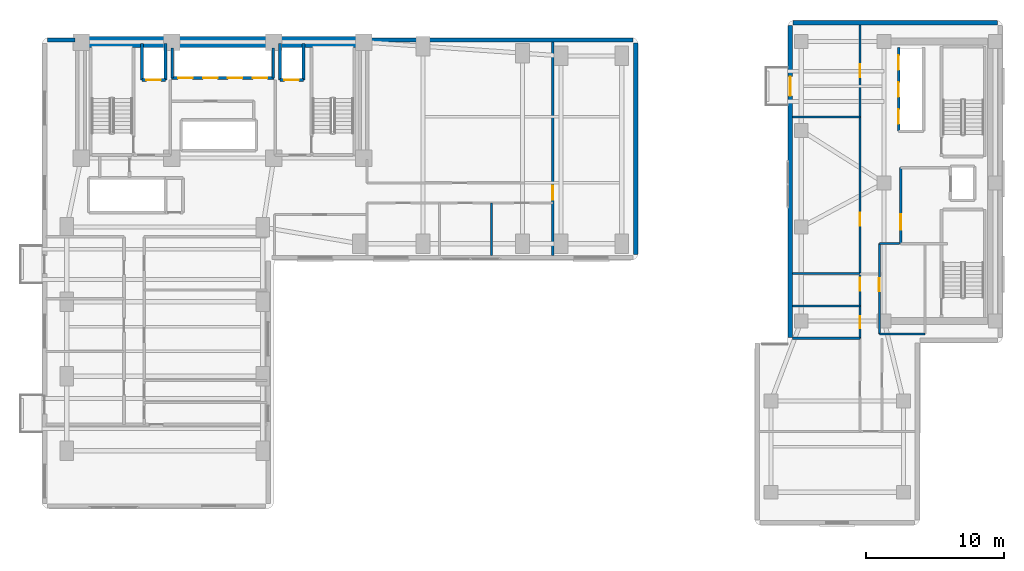
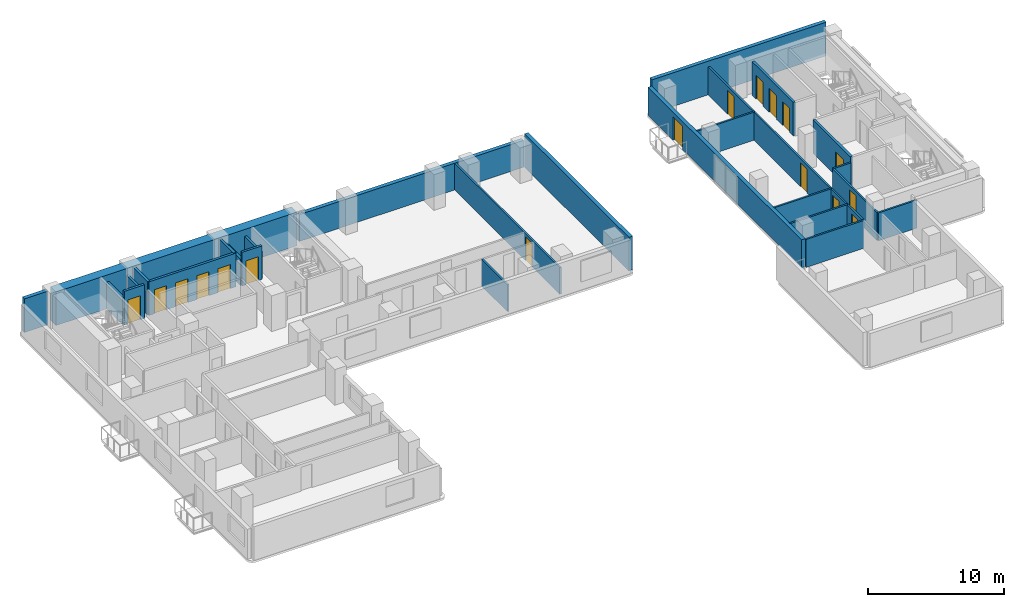
# One storey, part 12 of 17: 27 walls, 17 doors, 17 openings.
"""IFC4 building model written with IfcOpenShell, lengths in metres."""

from ifc_helpers import new_model, si_unit, direction, frame, frame_2d, origin, place, context, subcontext, project, spatial, rectangle, extrude, material, layer, layer_set, type_object, element, fill, save


model = new_model("IFC4")

# Units and contexts
model_context = context("Model", 3, precision=1e-05, world=origin(), true_north=direction((0.0, 1.0)))
body_context = subcontext(model_context, "Body", "Model", "MODEL_VIEW")
ifc_project = project(units=[si_unit("LENGTHUNIT", "METRE"), si_unit("AREAUNIT", "SQUARE_METRE"), si_unit("VOLUMEUNIT", "CUBIC_METRE"), si_unit("PLANEANGLEUNIT", "RADIAN"), si_unit("MASSUNIT", "GRAM", prefix="KILO")], contexts=[model_context])

# Site, building, storey
site_placement = place(None, origin())
site = spatial("IfcSite", under=ifc_project, at=site_placement, CompositionType="ELEMENT")
building_placement = place(site_placement, origin())
building = spatial("IfcBuilding", under=site, at=building_placement, Name="Kuzgunbayir Cultural Tower", CompositionType="ELEMENT")
storey_placement = place(building_placement, frame((0.0, 0.0, 50.0)))
storey = spatial("IfcBuildingStorey", under=building, at=storey_placement, Name="L13", CompositionType="ELEMENT", Elevation=50.0)

# Walls
ifc_material_1 = material(Name="Concrete C60/75", Category="concrete")
ifc_layer_1 = layer(ifc_material_1, 0.800048828125)
ifc_layer_set_1 = layer_set([ifc_layer_1], Name="Concrete C60/75")
wall_type_1 = type_object("IfcWallType", Name="WAL-CORE-800", PredefinedType="SHEAR", material=ifc_layer_set_1)
wall_1_placement = place(storey_placement, frame((6.449951171875, 42.199951171875, 0.0), z_axis=(0.0, 0.0, 1.0), x_axis=(1.0, 0.0, 0.0)))
element("IfcWall", 1, at=wall_1_placement, inside=storey, type_object=wall_type_1, Name="L13 T1 Core North Shear Wall", PredefinedType="SHEAR", context=body_context, shape_type="SweptSolid", body=[
    extrude(rectangle(XDim=20.449951171875, YDim=0.800048828125, at=frame_2d((10.22509765625, 0.0))), origin(), (0.0, 0.0, 1.0), 3.02001953125),
])
ifc_material_2 = material(Name="Travertine Buff Ashlar", Category="masonry")
ifc_layer_2 = layer(ifc_material_2, 0.320068359375)
ifc_layer_set_2 = layer_set([ifc_layer_2], Name="Travertine Buff Ashlar")
wall_type_2 = type_object("IfcWallType", Name="WAL-EXT-STONE-320", PredefinedType="STANDARD", material=ifc_layer_set_2)
wall_2_placement = place(storey_placement, frame((46.39990234375, 42.35009765625, 0.0), z_axis=(0.0, 0.0, 1.0), x_axis=(-1.0, 0.0, 0.0)))
element("IfcWall", 2, at=wall_2_placement, inside=storey, type_object=wall_type_2, Name="L13 North Wing B Limestone Wall", PredefinedType="STANDARD", context=body_context, shape_type="SweptSolid", body=[
    extrude(rectangle(XDim=19.0498046875, YDim=0.320068359375, at=frame_2d((9.52490234375, 0.0))), origin(), (0.0, 0.0, 1.0), 2.409912109375),
])
wall_3_placement = place(storey_placement, frame((6.0, 42.35009765625, 0.0), z_axis=(0.0, 0.0, 1.0), x_axis=(-1.0, 0.0, 0.0)))
element("IfcWall", 3, at=wall_3_placement, inside=storey, type_object=wall_type_2, Name="L13 Core North-West Spandrel Link", PredefinedType="STANDARD", context=body_context, shape_type="SweptSolid", body=[
    extrude(rectangle(XDim=2.0, YDim=0.320068359375, at=frame_2d((1.0, 0.0))), origin(), (0.0, 0.0, 1.0), 3.02001953125),
])
wall_4_placement = place(storey_placement, frame((46.60009765625, 26.800048828125, 0.0), z_axis=(0.0, 0.0, 1.0), x_axis=(0.0, 1.0, 0.0)))
element("IfcWall", 4, at=wall_4_placement, inside=storey, type_object=wall_type_2, Name="L13 Wing B East Limestone Wall", PredefinedType="STANDARD", context=body_context, shape_type="SweptSolid", body=[
    extrude(rectangle(XDim=15.349853515625, YDim=0.320068359375, at=frame_2d((7.6748046875, 0.0))), origin(), (0.0, 0.0, 1.0), 3.02001953125),
])

# Wall, opening, door
wall_5_placement = place(storey_placement, frame((57.800048828125, 43.39990234375, 0.0), z_axis=(0.0, 0.0, 1.0), x_axis=(0.0, -1.0, 0.0)))
wall_5 = element("IfcWall", 5, at=wall_5_placement, inside=storey, type_object=wall_type_2, Name="L13 Companion West Limestone Wall", PredefinedType="STANDARD", context=body_context, shape_type="SweptSolid", body=[
    extrude(rectangle(XDim=22.599853515625, YDim=0.320068359375, at=frame_2d((11.2998046875, 0.0))), origin(), (0.0, 0.0, 1.0), 2.510009765625),
])
opening_1_placement = place(wall_5_placement, frame((3.699951171875, 0.0, 0.0)))
opening_1 = element("IfcOpeningElement", 6, at=opening_1_placement, cuts=wall_5, Name="Opening BD-15", PredefinedType="OPENING", context=body_context, shape_type="SweptSolid", body=[
    extrude(rectangle(XDim=1.39990234375, YDim=2.10009765625, at=frame_2d((0.699951171875, 1.050048828125))), frame((0.0, 0.169921875, 0.0), z_axis=(0.0, -1.0, 0.0), x_axis=(1.0, 0.0, 0.0)), (0.0, 0.0, 1.0), 0.340087890625),
])
ifc_material_3 = material(Name="Thermally Broken Glazed Aluminium", Category="aluminium")
door_type_1 = type_object("IfcDoorType", Name="DR-BALCONY-150", OperationType="SLIDING_TO_RIGHT", PredefinedType="DOOR", material=ifc_material_3)
door_1_placement = place(opening_1_placement, origin())
door_1 = element("IfcDoor", 7, at=door_1_placement, inside=storey, type_object=door_type_1, Name="L13 Companion Balcony Door BAL-L13-T2W3", OperationType="SLIDING_TO_RIGHT", OverallHeight=2.10009765625, OverallWidth=1.39990234375, PredefinedType="DOOR", context=body_context, shape_type="SweptSolid", body=[
    extrude(rectangle(XDim=1.39990234375, YDim=2.10009765625, at=frame_2d((0.699951171875, 1.050048828125))), frame((0.0, 0.02490234375, 0.0), z_axis=(0.0, -1.0, 0.0), x_axis=(1.0, 0.0, 0.0)), (0.0, 0.0, 1.0), 0.050048828125),
])
fill(opening_1, door_1)

# Wall
wall_6_placement = place(storey_placement, frame((72.800048828125, 43.60009765625, 0.0), z_axis=(0.0, 0.0, 1.0), x_axis=(-1.0, 0.0, 0.0)))
element("IfcWall", 8, at=wall_6_placement, inside=storey, type_object=wall_type_2, Name="L13 Companion North Limestone Wall", PredefinedType="STANDARD", context=body_context, shape_type="SweptSolid", body=[
    extrude(rectangle(XDim=14.800048828125, YDim=0.320068359375, at=frame_2d((7.39990234375, 0.0))), origin(), (0.0, 0.0, 1.0), 3.02001953125),
])

# Wall, opening, door
ifc_material_4 = material(Name="Acoustic Double-Stud Drywall", Category="gypsum")
ifc_layer_3 = layer(ifc_material_4, 0.14990234375)
ifc_layer_set_3 = layer_set([ifc_layer_3], Name="Acoustic Double-Stud Drywall")
wall_type_3 = type_object("IfcWallType", Name="WAL-PART-ACOUSTIC-150", PredefinedType="PARTITIONING", material=ifc_layer_set_3)
wall_7_placement = place(storey_placement, frame((40.60009765625, 26.75, 0.0), z_axis=(0.0, 0.0, 1.0), x_axis=(0.0, 1.0, 0.0)))
wall_7 = element("IfcWall", 9, at=wall_7_placement, inside=storey, type_object=wall_type_3, Name="L13 Wing B East Suite Wall", PredefinedType="PARTITIONING", context=body_context, shape_type="SweptSolid", body=[
    extrude(rectangle(XDim=15.449951171875, YDim=0.14990234375, at=frame_2d((7.72509765625, 0.0))), origin(), (0.0, 0.0, 1.0), 2.409912109375),
])
opening_2_placement = place(wall_7_placement, frame((4.030029296875, 0.0, 0.0)))
opening_2 = element("IfcOpeningElement", 10, at=opening_2_placement, cuts=wall_7, Name="Opening DI-100", PredefinedType="OPENING", context=body_context, shape_type="SweptSolid", body=[
    extrude(rectangle(XDim=1.0, YDim=2.14990234375, at=frame_2d((0.5, 1.074951171875))), frame((0.0, 0.0849609375, 0.0), z_axis=(0.0, -1.0, 0.0), x_axis=(1.0, 0.0, 0.0)), (0.0, 0.0, 1.0), 0.169921875),
])
ifc_material_5 = material(Name="Veneered Oak Single Leaf", Category="wood")
door_type_2 = type_object("IfcDoorType", Name="DR-INT-100", OperationType="NOTDEFINED", PredefinedType="DOOR", material=ifc_material_5)
door_2_placement = place(opening_2_placement, origin())
door_2 = element("IfcDoor", 11, at=door_2_placement, inside=storey, type_object=door_type_2, Name="L13 East Conference Hall Door", OperationType="SINGLE_SWING_LEFT", OverallHeight=2.14990234375, OverallWidth=1.0, PredefinedType="DOOR", context=body_context, shape_type="SweptSolid", body=[
    extrude(rectangle(XDim=1.0, YDim=2.14990234375, at=frame_2d((0.5, 1.074951171875))), frame((0.0, 0.02490234375, 0.0), z_axis=(0.0, -1.0, 0.0), x_axis=(1.0, 0.0, 0.0)), (0.0, 0.0, 1.0), 0.050048828125),
])
fill(opening_2, door_2)

# Wall
wall_8_placement = place(storey_placement, frame((36.159912109375, 26.75, 0.0), z_axis=(0.0, 0.0, 1.0), x_axis=(0.0, 1.0, 0.0)))
element("IfcWall", 12, at=wall_8_placement, inside=storey, type_object=wall_type_3, Name="L13 Wing B South Partition 2", PredefinedType="PARTITIONING", context=body_context, shape_type="SweptSolid", body=[
    extrude(rectangle(XDim=3.800048828125, YDim=0.14990234375, at=frame_2d((1.89990234375, 0.0))), origin(), (0.0, 0.0, 1.0), 2.409912109375),
])

# Wall, opening, door
wall_9_placement = place(storey_placement, frame((64.25, 21.050048828125, 0.0), z_axis=(0.0, 0.0, 1.0), x_axis=(0.0, 1.0, 0.0)))
wall_9 = element("IfcWall", 13, at=wall_9_placement, inside=storey, type_object=wall_type_3, Name="L13 Companion Archive West Wall", PredefinedType="PARTITIONING", context=body_context, shape_type="SweptSolid", body=[
    extrude(rectangle(XDim=6.550048828125, YDim=0.14990234375, at=frame_2d((3.27490234375, 0.0))), origin(), (0.0, 0.0, 1.0), 2.510009765625),
])
opening_3_placement = place(wall_9_placement, frame((3.10009765625, 0.0, 0.0)))
opening_3 = element("IfcOpeningElement", 14, at=opening_3_placement, cuts=wall_9, Name="Opening DI-90", PredefinedType="OPENING", context=body_context, shape_type="SweptSolid", body=[
    extrude(rectangle(XDim=0.949951171875, YDim=2.14990234375, at=frame_2d((0.47509765625, 1.074951171875))), frame((0.0, 0.0849609375, 0.0), z_axis=(0.0, -1.0, 0.0), x_axis=(1.0, 0.0, 0.0)), (0.0, 0.0, 1.0), 0.169921875),
])
door_type_3 = type_object("IfcDoorType", Name="DR-INT-90", OperationType="NOTDEFINED", PredefinedType="DOOR", material=ifc_material_5)
door_3_placement = place(opening_3_placement, origin())
door_3 = element("IfcDoor", 15, at=door_3_placement, inside=storey, type_object=door_type_3, Name="L13 Companion Archive Door", OperationType="SINGLE_SWING_RIGHT", OverallHeight=2.14990234375, OverallWidth=0.949951171875, PredefinedType="DOOR", context=body_context, shape_type="SweptSolid", body=[
    extrude(rectangle(XDim=0.949951171875, YDim=2.14990234375, at=frame_2d((0.47509765625, 1.074951171875))), frame((0.0, 0.02490234375, 0.0), z_axis=(0.0, -1.0, 0.0), x_axis=(1.0, 0.0, 0.0)), (0.0, 0.0, 1.0), 0.050048828125),
])
fill(opening_3, door_3)

# Walls
wall_10_placement = place(storey_placement, frame((64.25, 21.050048828125, 0.0), z_axis=(0.0, 0.0, 1.0), x_axis=(1.0, 0.0, 0.0)))
element("IfcWall", 16, at=wall_10_placement, inside=storey, type_object=wall_type_3, Name="L13 Companion Archive South Wall", PredefinedType="PARTITIONING", context=body_context, shape_type="SweptSolid", body=[
    extrude(rectangle(XDim=3.300048828125, YDim=0.14990234375, at=frame_2d((1.64990234375, 0.0))), origin(), (0.0, 0.0, 1.0), 2.510009765625),
])
wall_11_placement = place(storey_placement, frame((64.25, 27.60009765625, 0.0), z_axis=(0.0, 0.0, 1.0), x_axis=(1.0, 0.0, 0.0)))
element("IfcWall", 17, at=wall_11_placement, inside=storey, type_object=wall_type_3, Name="L13 Companion Archive North Wall", PredefinedType="PARTITIONING", context=body_context, shape_type="SweptSolid", body=[
    extrude(rectangle(XDim=1.469970703125, YDim=0.14990234375, at=frame_2d((0.73486328125, 0.0))), origin(), (0.0, 0.0, 1.0), 2.510009765625),
])

# Wall, openings, doors
wall_12_placement = place(storey_placement, frame((62.85009765625, 20.75, 0.0), z_axis=(0.0, 0.0, 1.0), x_axis=(0.0, 1.0, 0.0)))
wall_12 = element("IfcWall", 18, at=wall_12_placement, inside=storey, type_object=wall_type_3, Name="L13 Companion Corridor West Wall", PredefinedType="PARTITIONING", context=body_context, shape_type="SweptSolid", body=[
    extrude(rectangle(XDim=22.699951171875, YDim=0.14990234375, at=frame_2d((11.35009765625, 0.0))), origin(), (0.0, 0.0, 1.0), 2.510009765625),
])
opening_4_placement = place(wall_12_placement, frame((0.72998046875, 0.0, 0.0)))
opening_4 = element("IfcOpeningElement", 19, at=opening_4_placement, cuts=wall_12, Name="Opening DW-85", PredefinedType="OPENING", context=body_context, shape_type="SweptSolid", body=[
    extrude(rectangle(XDim=0.85009765625, YDim=2.10009765625, at=frame_2d((0.425048828125, 1.050048828125))), frame((0.0, 0.0849609375, 0.0), z_axis=(0.0, -1.0, 0.0), x_axis=(1.0, 0.0, 0.0)), (0.0, 0.0, 1.0), 0.169921875),
])
opening_5_placement = place(wall_12_placement, frame((3.429931640625, 0.0, 0.0)))
opening_5 = element("IfcOpeningElement", 20, at=opening_5_placement, cuts=wall_12, Name="Opening DW-95", PredefinedType="OPENING", context=body_context, shape_type="SweptSolid", body=[
    extrude(rectangle(XDim=0.949951171875, YDim=2.10009765625, at=frame_2d((0.47509765625, 1.050048828125))), frame((0.0, 0.0849609375, 0.0), z_axis=(0.0, -1.0, 0.0), x_axis=(1.0, 0.0, 0.0)), (0.0, 0.0, 1.0), 0.169921875),
])
opening_6_placement = place(wall_12_placement, frame((8.14990234375, 0.0, 0.0)))
opening_6 = element("IfcOpeningElement", 21, at=opening_6_placement, cuts=wall_12, Name="Opening DI-90", PredefinedType="OPENING", context=body_context, shape_type="SweptSolid", body=[
    extrude(rectangle(XDim=0.949951171875, YDim=2.14990234375, at=frame_2d((0.47509765625, 1.074951171875))), frame((0.0, 0.0849609375, 0.0), z_axis=(0.0, -1.0, 0.0), x_axis=(1.0, 0.0, 0.0)), (0.0, 0.0, 1.0), 0.169921875),
])
opening_7_placement = place(wall_12_placement, frame((18.889892578125, 0.0, 0.0)))
opening_7 = element("IfcOpeningElement", 22, at=opening_7_placement, cuts=wall_12, Name="Opening DI-90", PredefinedType="OPENING", context=body_context, shape_type="SweptSolid", body=[
    extrude(rectangle(XDim=0.949951171875, YDim=2.14990234375, at=frame_2d((0.47509765625, 1.074951171875))), frame((0.0, 0.0849609375, 0.0), z_axis=(0.0, -1.0, 0.0), x_axis=(1.0, 0.0, 0.0)), (0.0, 0.0, 1.0), 0.169921875),
])
door_4_placement = place(opening_6_placement, origin())
door_4 = element("IfcDoor", 23, at=door_4_placement, inside=storey, type_object=door_type_3, Name="L13 Companion Seminar Boardroom 1 Door", OperationType="SINGLE_SWING_LEFT", OverallHeight=2.14990234375, OverallWidth=0.949951171875, PredefinedType="DOOR", context=body_context, shape_type="SweptSolid", body=[
    extrude(rectangle(XDim=0.949951171875, YDim=2.14990234375, at=frame_2d((0.47509765625, 1.074951171875))), frame((0.0, 0.02490234375, 0.0), z_axis=(0.0, -1.0, 0.0), x_axis=(1.0, 0.0, 0.0)), (0.0, 0.0, 1.0), 0.050048828125),
])
fill(opening_6, door_4)
door_5_placement = place(opening_7_placement, origin())
door_5 = element("IfcDoor", 24, at=door_5_placement, inside=storey, type_object=door_type_3, Name="L13 Companion Culinary Tasting Pantry 2 Door", OperationType="SINGLE_SWING_RIGHT", OverallHeight=2.14990234375, OverallWidth=0.949951171875, PredefinedType="DOOR", context=body_context, shape_type="SweptSolid", body=[
    extrude(rectangle(XDim=0.949951171875, YDim=2.14990234375, at=frame_2d((0.47509765625, 1.074951171875))), frame((0.0, 0.02490234375, 0.0), z_axis=(0.0, -1.0, 0.0), x_axis=(1.0, 0.0, 0.0)), (0.0, 0.0, 1.0), 0.050048828125),
])
fill(opening_7, door_5)
ifc_material_6 = material(Name="Laminate Moisture-Resistant Leaf", Category="wood")
door_type_4 = type_object("IfcDoorType", Name="DR-WET-85", OperationType="NOTDEFINED", PredefinedType="DOOR", material=ifc_material_6)
door_6_placement = place(opening_4_placement, origin())
door_6 = element("IfcDoor", 25, at=door_6_placement, inside=storey, type_object=door_type_4, Name="L13 Companion WC Door", OperationType="SINGLE_SWING_LEFT", OverallHeight=2.10009765625, OverallWidth=0.85009765625, PredefinedType="DOOR", context=body_context, shape_type="SweptSolid", body=[
    extrude(rectangle(XDim=0.85009765625, YDim=2.10009765625, at=frame_2d((0.425048828125, 1.050048828125))), frame((0.0, 0.02490234375, 0.0), z_axis=(0.0, -1.0, 0.0), x_axis=(1.0, 0.0, 0.0)), (0.0, 0.0, 1.0), 0.050048828125),
])
fill(opening_4, door_6)
door_type_5 = type_object("IfcDoorType", Name="DR-WET-95", OperationType="NOTDEFINED", PredefinedType="DOOR", material=ifc_material_6)
door_7_placement = place(opening_5_placement, origin())
door_7 = element("IfcDoor", 26, at=door_7_placement, inside=storey, type_object=door_type_5, Name="L13 Companion Accessible WC Door", OperationType="SINGLE_SWING_RIGHT", OverallHeight=2.10009765625, OverallWidth=0.949951171875, PredefinedType="DOOR", context=body_context, shape_type="SweptSolid", body=[
    extrude(rectangle(XDim=0.949951171875, YDim=2.10009765625, at=frame_2d((0.47509765625, 1.050048828125))), frame((0.0, 0.02490234375, 0.0), z_axis=(0.0, -1.0, 0.0), x_axis=(1.0, 0.0, 0.0)), (0.0, 0.0, 1.0), 0.050048828125),
])
fill(opening_5, door_7)

# Wall
wall_13_placement = place(storey_placement, frame((57.949951171875, 36.7900390625, 0.0), z_axis=(0.0, 0.0, 1.0), x_axis=(1.0, 0.0, 0.0)))
element("IfcWall", 27, at=wall_13_placement, inside=storey, type_object=wall_type_3, Name="L13 Companion Studio Partition 1", PredefinedType="PARTITIONING", context=body_context, shape_type="SweptSolid", body=[
    extrude(rectangle(XDim=4.900146484375, YDim=0.14990234375, at=frame_2d((2.4501953125, 0.0))), origin(), (0.0, 0.0, 1.0), 2.510009765625),
])

# Wall, opening, door
ifc_material_7 = material(Name="Aerated Concrete Blockwork", Category="masonry")
ifc_layer_4 = layer(ifc_material_7, 0.199951171875)
ifc_layer_set_4 = layer_set([ifc_layer_4], Name="Aerated Concrete Blockwork")
wall_type_4 = type_object("IfcWallType", Name="WAL-PART-FIRE-200", PredefinedType="PARTITIONING", material=ifc_layer_set_4)
wall_14_placement = place(storey_placement, frame((65.800048828125, 27.60009765625, 0.0), z_axis=(0.0, 0.0, 1.0), x_axis=(0.0, 1.0, 0.0)))
wall_14 = element("IfcWall", 28, at=wall_14_placement, inside=storey, type_object=wall_type_4, Name="L13 FFL-3 Lobby West Fire Wall", PredefinedType="PARTITIONING", context=body_context, shape_type="SweptSolid", body=[
    extrude(rectangle(XDim=5.5, YDim=0.199951171875, at=frame_2d((2.75, 0.0))), origin(), (0.0, 0.0, 1.0), 3.02001953125),
])
opening_8_placement = place(wall_14_placement, frame((1.0, 0.0, 0.0)))
opening_8 = element("IfcOpeningElement", 29, at=opening_8_placement, cuts=wall_14, Name="Opening DR-FFL-90", PredefinedType="OPENING", context=body_context, shape_type="SweptSolid", body=[
    extrude(rectangle(XDim=1.14990234375, YDim=2.14990234375, at=frame_2d((0.574951171875, 1.074951171875))), frame((0.0, 0.10986328125, 0.0), z_axis=(0.0, -1.0, 0.0), x_axis=(1.0, 0.0, 0.0)), (0.0, 0.0, 1.0), 0.219970703125),
])
ifc_material_8 = material(Name="Steel S355J2", Category="steel")
door_type_6 = type_object("IfcDoorType", Name="DR-FFL-90", OperationType="NOTDEFINED", PredefinedType="DOOR", material=ifc_material_8)
door_8_placement = place(opening_8_placement, origin())
door_8 = element("IfcDoor", 30, at=door_8_placement, inside=storey, type_object=door_type_6, Name="L13 Firefighting Lobby 3 Door", OperationType="SINGLE_SWING_RIGHT", OverallHeight=2.14990234375, OverallWidth=1.14990234375, PredefinedType="DOOR", context=body_context, shape_type="SweptSolid", body=[
    extrude(rectangle(XDim=1.14990234375, YDim=2.14990234375, at=frame_2d((0.574951171875, 1.074951171875))), frame((0.0, 0.02490234375, 0.0), z_axis=(0.0, -1.0, 0.0), x_axis=(1.0, 0.0, 0.0)), (0.0, 0.0, 1.0), 0.050048828125),
])
fill(opening_8, door_8)

# Walls
ifc_material_9 = material(Name="Moisture-Resistant Tile Partition", Category="gypsum")
ifc_layer_5 = layer(ifc_material_9, 0.14990234375)
ifc_layer_set_5 = layer_set([ifc_layer_5], Name="Moisture-Resistant Tile Partition")
wall_type_5 = type_object("IfcWallType", Name="WAL-PART-WET-150", PredefinedType="PARTITIONING", material=ifc_layer_set_5)
for number, where, z_axis, x_axis, name in (
    (31, (57.949951171875, 20.75, 0.0), (0.0, 0.0, 1.0), (1.0, 0.0, 0.0), "L13 Companion WC South Wall"),
    (32, (57.949951171875, 23.10009765625, 0.0), (0.0, 0.0, 1.0), (1.0, 0.0, 0.0), "L13 Companion WC North Wall"),
    (33, (57.949951171875, 25.449951171875, 0.0), (0.0, 0.0, 1.0), (1.0, 0.0, 0.0), "L13 Companion Accessible WC Wall"),
):
    element("IfcWall", number, at=place(storey_placement, frame(where, z_axis=z_axis, x_axis=x_axis)), inside=storey, type_object=wall_type_5, Name=name, PredefinedType="PARTITIONING", context=body_context, shape_type="SweptSolid", body=[
        extrude(rectangle(XDim=4.900146484375, YDim=0.14990234375, at=frame_2d((2.4501953125, 0.0))), origin(), (0.0, 0.0, 1.0), 2.510009765625),
    ])

# Wall, opening, door
ifc_material_10 = material(Name="Concrete C40/50", Category="concrete")
ifc_layer_6 = layer(ifc_material_10, 0.199951171875)
ifc_layer_set_6 = layer_set([ifc_layer_6], Name="Concrete C40/50")
wall_type_6 = type_object("IfcWallType", Name="WAL-SHAFT-200", PredefinedType="MOVABLE", material=ifc_layer_set_6)
wall_15_placement = place(storey_placement, frame((10.85009765625, 39.449951171875, 0.0), z_axis=(0.0, 0.0, 1.0), x_axis=(1.0, 0.0, 0.0)))
wall_15 = element("IfcWall", 34, at=wall_15_placement, inside=storey, type_object=wall_type_6, Name="L13 FFL-1 Lift Front Wall", PredefinedType="MOVABLE", context=body_context, shape_type="SweptSolid", body=[
    extrude(rectangle(XDim=1.699951171875, YDim=0.199951171875, at=frame_2d((0.85009765625, 0.0))), origin(), (0.0, 0.0, 1.0), 3.02001953125),
])
opening_9_placement = place(wall_15_placement, frame((0.320068359375, 0.0, 0.0)))
opening_9 = element("IfcOpeningElement", 35, at=opening_9_placement, cuts=wall_15, Name="Opening LD", PredefinedType="OPENING", context=body_context, shape_type="SweptSolid", body=[
    extrude(rectangle(XDim=1.050048828125, YDim=2.14990234375, at=frame_2d((0.52490234375, 1.074951171875))), frame((0.0, 0.10986328125, 0.0), z_axis=(0.0, -1.0, 0.0), x_axis=(1.0, 0.0, 0.0)), (0.0, 0.0, 1.0), 0.219970703125),
])
ifc_material_11 = material(Name="Brushed Stainless Steel", Category="steel")
door_type_7 = type_object("IfcDoorType", Name="DR-LIFT-LANDING", OperationType="SLIDING_TO_LEFT", PredefinedType="DOOR", material=ifc_material_11)
door_9_placement = place(opening_9_placement, origin())
door_9 = element("IfcDoor", 36, at=door_9_placement, inside=storey, type_object=door_type_7, Name="L13 Lift FFL-1 Landing Door", OperationType="SLIDING_TO_LEFT", OverallHeight=2.14990234375, OverallWidth=1.050048828125, PredefinedType="DOOR", context=body_context, shape_type="SweptSolid", body=[
    extrude(rectangle(XDim=1.050048828125, YDim=2.14990234375, at=frame_2d((0.52490234375, 1.074951171875))), frame((0.0, 0.02490234375, 0.0), z_axis=(0.0, -1.0, 0.0), x_axis=(1.0, 0.0, 0.0)), (0.0, 0.0, 1.0), 0.050048828125),
])
fill(opening_9, door_9)

wall_16_placement = place(storey_placement, frame((20.85009765625, 39.449951171875, 0.0), z_axis=(0.0, 0.0, 1.0), x_axis=(1.0, 0.0, 0.0)))
wall_16 = element("IfcWall", 37, at=wall_16_placement, inside=storey, type_object=wall_type_6, Name="L13 FFL-2 Lift Front Wall", PredefinedType="MOVABLE", context=body_context, shape_type="SweptSolid", body=[
    extrude(rectangle(XDim=1.699951171875, YDim=0.199951171875, at=frame_2d((0.85009765625, 0.0))), origin(), (0.0, 0.0, 1.0), 3.02001953125),
])
opening_10_placement = place(wall_16_placement, frame((0.320068359375, 0.0, 0.0)))
opening_10 = element("IfcOpeningElement", 38, at=opening_10_placement, cuts=wall_16, Name="Opening LD", PredefinedType="OPENING", context=body_context, shape_type="SweptSolid", body=[
    extrude(rectangle(XDim=1.050048828125, YDim=2.14990234375, at=frame_2d((0.52490234375, 1.074951171875))), frame((0.0, 0.10986328125, 0.0), z_axis=(0.0, -1.0, 0.0), x_axis=(1.0, 0.0, 0.0)), (0.0, 0.0, 1.0), 0.219970703125),
])
door_10_placement = place(opening_10_placement, origin())
door_10 = element("IfcDoor", 39, at=door_10_placement, inside=storey, type_object=door_type_7, Name="L13 Lift FFL-2 Landing Door", OperationType="SLIDING_TO_LEFT", OverallHeight=2.14990234375, OverallWidth=1.050048828125, PredefinedType="DOOR", context=body_context, shape_type="SweptSolid", body=[
    extrude(rectangle(XDim=1.050048828125, YDim=2.14990234375, at=frame_2d((0.52490234375, 1.074951171875))), frame((0.0, 0.02490234375, 0.0), z_axis=(0.0, -1.0, 0.0), x_axis=(1.0, 0.0, 0.0)), (0.0, 0.0, 1.0), 0.050048828125),
])
fill(opening_10, door_10)

# Walls
for number, where, z_axis, x_axis, name in (
    (40, (10.85009765625, 39.449951171875, 0.0), (0.0, 0.0, 1.0), (0.0, 1.0, 0.0), "L13 FFL-1 Shaft West Wall"),
    (41, (12.550048828125, 39.449951171875, 0.0), (0.0, 0.0, 1.0), (0.0, 1.0, 0.0), "L13 FFL-1 Shaft East Wall"),
    (42, (20.85009765625, 39.449951171875, 0.0), (0.0, 0.0, 1.0), (0.0, 1.0, 0.0), "L13 FFL-2 Shaft West Wall"),
    (43, (22.550048828125, 39.449951171875, 0.0), (0.0, 0.0, 1.0), (0.0, 1.0, 0.0), "L13 FFL-2 Shaft East Wall"),
):
    element("IfcWall", number, at=place(storey_placement, frame(where, z_axis=z_axis, x_axis=x_axis)), inside=storey, type_object=wall_type_6, Name=name, PredefinedType="MOVABLE", context=body_context, shape_type="SweptSolid", body=[
        extrude(rectangle(XDim=2.650146484375, YDim=0.199951171875, at=frame_2d((1.3251953125, 0.0))), origin(), (0.0, 0.0, 1.0), 2.409912109375),
    ])

# Wall, openings, doors
wall_17_placement = place(storey_placement, frame((13.0, 39.60009765625, 0.0), z_axis=(0.0, 0.0, 1.0), x_axis=(1.0, 0.0, 0.0)))
wall_17 = element("IfcWall", 44, at=wall_17_placement, inside=storey, type_object=wall_type_6, Name="L13 Low-Rise Lift Front Wall", PredefinedType="MOVABLE", context=body_context, shape_type="SweptSolid", body=[
    extrude(rectangle(XDim=7.39990234375, YDim=0.199951171875, at=frame_2d((3.699951171875, 0.0))), origin(), (0.0, 0.0, 1.0), 3.02001953125),
])
opening_11_placement = place(wall_17_placement, frame((0.469970703125, 0.0, 0.0)))
opening_11 = element("IfcOpeningElement", 45, at=opening_11_placement, cuts=wall_17, Name="Opening LD", PredefinedType="OPENING", context=body_context, shape_type="SweptSolid", body=[
    extrude(rectangle(XDim=1.050048828125, YDim=2.14990234375, at=frame_2d((0.52490234375, 1.074951171875))), frame((0.0, 0.10986328125, 0.0), z_axis=(0.0, -1.0, 0.0), x_axis=(1.0, 0.0, 0.0)), (0.0, 0.0, 1.0), 0.219970703125),
])
opening_12_placement = place(wall_17_placement, frame((2.280029296875, 0.0, 0.0)))
opening_12 = element("IfcOpeningElement", 46, at=opening_12_placement, cuts=wall_17, Name="Opening LD", PredefinedType="OPENING", context=body_context, shape_type="SweptSolid", body=[
    extrude(rectangle(XDim=1.050048828125, YDim=2.14990234375, at=frame_2d((0.52490234375, 1.074951171875))), frame((0.0, 0.10986328125, 0.0), z_axis=(0.0, -1.0, 0.0), x_axis=(1.0, 0.0, 0.0)), (0.0, 0.0, 1.0), 0.219970703125),
])
opening_13_placement = place(wall_17_placement, frame((4.080078125, 0.0, 0.0)))
opening_13 = element("IfcOpeningElement", 47, at=opening_13_placement, cuts=wall_17, Name="Opening LD", PredefinedType="OPENING", context=body_context, shape_type="SweptSolid", body=[
    extrude(rectangle(XDim=1.050048828125, YDim=2.14990234375, at=frame_2d((0.52490234375, 1.074951171875))), frame((0.0, 0.10986328125, 0.0), z_axis=(0.0, -1.0, 0.0), x_axis=(1.0, 0.0, 0.0)), (0.0, 0.0, 1.0), 0.219970703125),
])
opening_14_placement = place(wall_17_placement, frame((5.8798828125, 0.0, 0.0)))
opening_14 = element("IfcOpeningElement", 48, at=opening_14_placement, cuts=wall_17, Name="Opening LD", PredefinedType="OPENING", context=body_context, shape_type="SweptSolid", body=[
    extrude(rectangle(XDim=1.050048828125, YDim=2.14990234375, at=frame_2d((0.52490234375, 1.074951171875))), frame((0.0, 0.10986328125, 0.0), z_axis=(0.0, -1.0, 0.0), x_axis=(1.0, 0.0, 0.0)), (0.0, 0.0, 1.0), 0.219970703125),
])
door_11_placement = place(opening_11_placement, origin())
door_11 = element("IfcDoor", 49, at=door_11_placement, inside=storey, type_object=door_type_7, Name="L13 Lift PL-1 Landing Door", OperationType="SLIDING_TO_LEFT", OverallHeight=2.14990234375, OverallWidth=1.050048828125, PredefinedType="DOOR", context=body_context, shape_type="SweptSolid", body=[
    extrude(rectangle(XDim=1.050048828125, YDim=2.14990234375, at=frame_2d((0.52490234375, 1.074951171875))), frame((0.0, 0.02490234375, 0.0), z_axis=(0.0, -1.0, 0.0), x_axis=(1.0, 0.0, 0.0)), (0.0, 0.0, 1.0), 0.050048828125),
])
fill(opening_11, door_11)
door_12_placement = place(opening_12_placement, origin())
door_12 = element("IfcDoor", 50, at=door_12_placement, inside=storey, type_object=door_type_7, Name="L13 Lift PL-2 Landing Door", OperationType="SLIDING_TO_LEFT", OverallHeight=2.14990234375, OverallWidth=1.050048828125, PredefinedType="DOOR", context=body_context, shape_type="SweptSolid", body=[
    extrude(rectangle(XDim=1.050048828125, YDim=2.14990234375, at=frame_2d((0.52490234375, 1.074951171875))), frame((0.0, 0.02490234375, 0.0), z_axis=(0.0, -1.0, 0.0), x_axis=(1.0, 0.0, 0.0)), (0.0, 0.0, 1.0), 0.050048828125),
])
fill(opening_12, door_12)
door_13_placement = place(opening_13_placement, origin())
door_13 = element("IfcDoor", 51, at=door_13_placement, inside=storey, type_object=door_type_7, Name="L13 Lift PL-3 Landing Door", OperationType="SLIDING_TO_LEFT", OverallHeight=2.14990234375, OverallWidth=1.050048828125, PredefinedType="DOOR", context=body_context, shape_type="SweptSolid", body=[
    extrude(rectangle(XDim=1.050048828125, YDim=2.14990234375, at=frame_2d((0.52490234375, 1.074951171875))), frame((0.0, 0.02490234375, 0.0), z_axis=(0.0, -1.0, 0.0), x_axis=(1.0, 0.0, 0.0)), (0.0, 0.0, 1.0), 0.050048828125),
])
fill(opening_13, door_13)
door_14_placement = place(opening_14_placement, origin())
door_14 = element("IfcDoor", 52, at=door_14_placement, inside=storey, type_object=door_type_7, Name="L13 Lift PL-4 Landing Door", OperationType="SLIDING_TO_LEFT", OverallHeight=2.14990234375, OverallWidth=1.050048828125, PredefinedType="DOOR", context=body_context, shape_type="SweptSolid", body=[
    extrude(rectangle(XDim=1.050048828125, YDim=2.14990234375, at=frame_2d((0.52490234375, 1.074951171875))), frame((0.0, 0.02490234375, 0.0), z_axis=(0.0, -1.0, 0.0), x_axis=(1.0, 0.0, 0.0)), (0.0, 0.0, 1.0), 0.050048828125),
])
fill(opening_14, door_14)

# Walls
for number, where, z_axis, x_axis, name in (
    (53, (13.050048828125, 39.60009765625, 0.0), (0.0, 0.0, 1.0), (0.0, 1.0, 0.0), "L13 Low-Rise Lift Shaft West Wall"),
    (54, (20.35009765625, 39.60009765625, 0.0), (0.0, 0.0, 1.0), (0.0, 1.0, 0.0), "L13 Low-Rise Lift Shaft East Wall"),
):
    element("IfcWall", number, at=place(storey_placement, frame(where, z_axis=z_axis, x_axis=x_axis)), inside=storey, type_object=wall_type_6, Name=name, PredefinedType="MOVABLE", context=body_context, shape_type="SweptSolid", body=[
        extrude(rectangle(XDim=2.179931640625, YDim=0.199951171875, at=frame_2d((1.08984375, 0.0))), origin(), (0.0, 0.0, 1.0), 3.02001953125),
    ])

# Wall, openings, doors
wall_18_placement = place(storey_placement, frame((65.64990234375, 35.75, 0.0), z_axis=(0.0, 0.0, 1.0), x_axis=(0.0, 1.0, 0.0)))
wall_18 = element("IfcWall", 55, at=wall_18_placement, inside=storey, type_object=wall_type_6, Name="L13 Companion Lift Front Wall", PredefinedType="MOVABLE", context=body_context, shape_type="SweptSolid", body=[
    extrude(rectangle(XDim=6.050048828125, YDim=0.199951171875, at=frame_2d((3.02490234375, 0.0))), origin(), (0.0, 0.0, 1.0), 3.02001953125),
])
opening_15_placement = place(wall_18_placement, frame((0.52001953125, 0.0, 0.0)))
opening_15 = element("IfcOpeningElement", 56, at=opening_15_placement, cuts=wall_18, Name="Opening LD", PredefinedType="OPENING", context=body_context, shape_type="SweptSolid", body=[
    extrude(rectangle(XDim=1.050048828125, YDim=2.14990234375, at=frame_2d((0.52490234375, 1.074951171875))), frame((0.0, 0.10986328125, 0.0), z_axis=(0.0, -1.0, 0.0), x_axis=(1.0, 0.0, 0.0)), (0.0, 0.0, 1.0), 0.219970703125),
])
opening_16_placement = place(wall_18_placement, frame((2.47998046875, 0.0, 0.0)))
opening_16 = element("IfcOpeningElement", 57, at=opening_16_placement, cuts=wall_18, Name="Opening LD", PredefinedType="OPENING", context=body_context, shape_type="SweptSolid", body=[
    extrude(rectangle(XDim=1.050048828125, YDim=2.14990234375, at=frame_2d((0.52490234375, 1.074951171875))), frame((0.0, 0.10986328125, 0.0), z_axis=(0.0, -1.0, 0.0), x_axis=(1.0, 0.0, 0.0)), (0.0, 0.0, 1.0), 0.219970703125),
])
opening_17_placement = place(wall_18_placement, frame((4.429931640625, 0.0, 0.0)))
opening_17 = element("IfcOpeningElement", 58, at=opening_17_placement, cuts=wall_18, Name="Opening LD", PredefinedType="OPENING", context=body_context, shape_type="SweptSolid", body=[
    extrude(rectangle(XDim=1.050048828125, YDim=2.14990234375, at=frame_2d((0.52490234375, 1.074951171875))), frame((0.0, 0.10986328125, 0.0), z_axis=(0.0, -1.0, 0.0), x_axis=(1.0, 0.0, 0.0)), (0.0, 0.0, 1.0), 0.219970703125),
])
door_15_placement = place(opening_15_placement, origin())
door_15 = element("IfcDoor", 59, at=door_15_placement, inside=storey, type_object=door_type_7, Name="L13 Lift PC-1 Landing Door", OperationType="SLIDING_TO_LEFT", OverallHeight=2.14990234375, OverallWidth=1.050048828125, PredefinedType="DOOR", context=body_context, shape_type="SweptSolid", body=[
    extrude(rectangle(XDim=1.050048828125, YDim=2.14990234375, at=frame_2d((0.52490234375, 1.074951171875))), frame((0.0, 0.02490234375, 0.0), z_axis=(0.0, -1.0, 0.0), x_axis=(1.0, 0.0, 0.0)), (0.0, 0.0, 1.0), 0.050048828125),
])
fill(opening_15, door_15)
door_16_placement = place(opening_16_placement, origin())
door_16 = element("IfcDoor", 60, at=door_16_placement, inside=storey, type_object=door_type_7, Name="L13 Lift PC-2 Landing Door", OperationType="SLIDING_TO_LEFT", OverallHeight=2.14990234375, OverallWidth=1.050048828125, PredefinedType="DOOR", context=body_context, shape_type="SweptSolid", body=[
    extrude(rectangle(XDim=1.050048828125, YDim=2.14990234375, at=frame_2d((0.52490234375, 1.074951171875))), frame((0.0, 0.02490234375, 0.0), z_axis=(0.0, -1.0, 0.0), x_axis=(1.0, 0.0, 0.0)), (0.0, 0.0, 1.0), 0.050048828125),
])
fill(opening_16, door_16)
door_17_placement = place(opening_17_placement, origin())
door_17 = element("IfcDoor", 61, at=door_17_placement, inside=storey, type_object=door_type_7, Name="L13 Lift PC-3 Landing Door", OperationType="SLIDING_TO_LEFT", OverallHeight=2.14990234375, OverallWidth=1.050048828125, PredefinedType="DOOR", context=body_context, shape_type="SweptSolid", body=[
    extrude(rectangle(XDim=1.050048828125, YDim=2.14990234375, at=frame_2d((0.52490234375, 1.074951171875))), frame((0.0, 0.02490234375, 0.0), z_axis=(0.0, -1.0, 0.0), x_axis=(1.0, 0.0, 0.0)), (0.0, 0.0, 1.0), 0.050048828125),
])
fill(opening_17, door_17)

save(model, "model.ifc")
